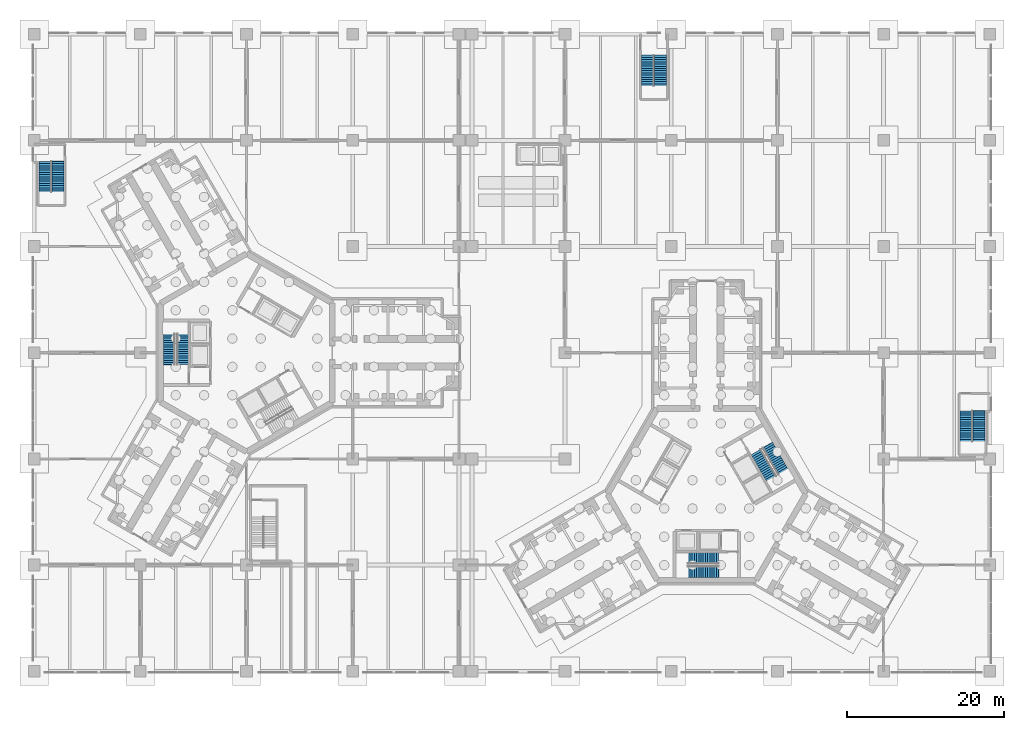
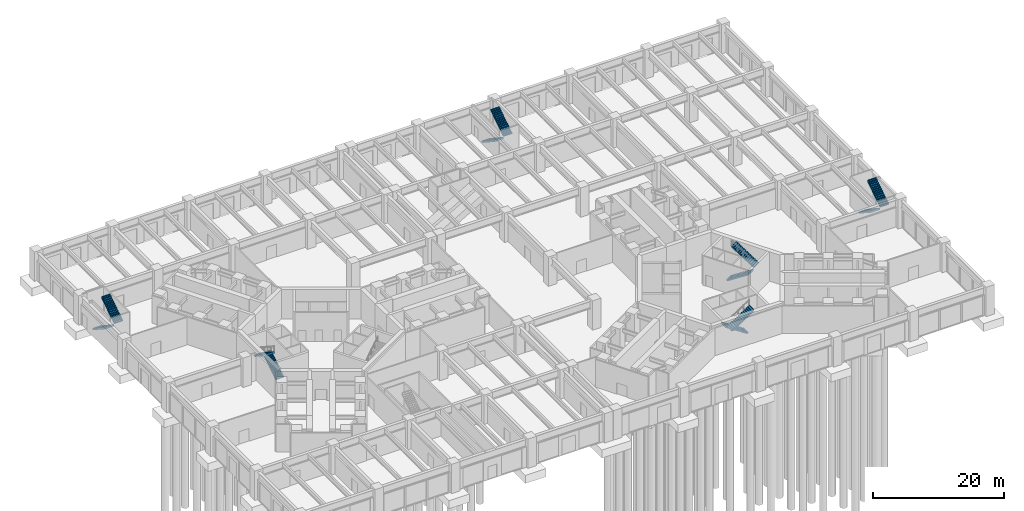
# One storey, part 16 of 18: 12 stair flights, 6 elements without a shape of their own.
"""IFC4 building model written with IfcOpenShell, lengths in metres."""

from ifc_helpers import new_model, si_unit, direction, frame, origin, place, context, subcontext, project, spatial, polyline, outline, extrude, material, type_object, element, aggregate, save


model = new_model("IFC4")

# Units and contexts
model_context = context("Model", 3, precision=1e-05, world=origin(), true_north=direction((0.0, 1.0)))
body_context = subcontext(model_context, "Body", "Model", "MODEL_VIEW")
ifc_project = project(units=[si_unit("LENGTHUNIT", "METRE"), si_unit("AREAUNIT", "SQUARE_METRE"), si_unit("VOLUMEUNIT", "CUBIC_METRE"), si_unit("PLANEANGLEUNIT", "RADIAN"), si_unit("MASSUNIT", "GRAM", prefix="KILO")], contexts=[model_context])

# Site, building, storey
site_placement = place(None, origin())
site = spatial("IfcSite", under=ifc_project, at=site_placement, CompositionType="ELEMENT")
building_placement = place(site_placement, origin())
building = spatial("IfcBuilding", under=site, at=building_placement, Name="Upepo Twin Towers", CompositionType="ELEMENT")
storey_placement = place(building_placement, origin())
storey = spatial("IfcBuildingStorey", under=building, at=storey_placement, Name="L00", CompositionType="ELEMENT", Elevation=0.0)

# Stair, stair flights
ifc_material_1 = material(Name="Concrete C40/50", Category="concrete")
stair_type_1 = type_object("IfcStairType", Name="Podium stair, two flights", PredefinedType="HALF_TURN_STAIR", material=ifc_material_1)
stair_1_placement = place(storey_placement, origin())
stair_1 = element("IfcStair", 1, at=stair_1_placement, inside=storey, type_object=stair_type_1, Name="Podium stair PS1 L00", PredefinedType="HALF_TURN_STAIR")
ifc_material_2 = material(Name="Concrete C40/50", Category="concrete")
stair_flight_type_1 = type_object("IfcStairFlightType", Name="Podium stair flight 1550 RC", PredefinedType="STRAIGHT", material=ifc_material_2)
stair_flight_1_placement = place(storey_placement, frame((-25.625, 24.320068359375, 0.0), z_axis=(0.0, 0.0, 1.0), x_axis=(0.0, -1.0, 0.0)))
stair_flight_1 = element("IfcStairFlight", 2, at=stair_flight_1_placement, type_object=stair_flight_type_1, Name="Stair PS1 flight 1", NumberOfRisers=15, NumberOfTreads=14, PredefinedType="STRAIGHT", RiserHeight=0.183333333, TreadLength=0.28, context=body_context, shape_type="SweptSolid", body=[
    extrude(outline(polyline([(0.0, 0.0), (0.0, 0.183349609375), (0.280029296875, 0.183349609375), (0.280029296875, 0.36669921875), (0.56005859375, 0.36669921875), (0.56005859375, 0.550048828125), (0.840087890625, 0.550048828125), (0.840087890625, 0.7333984375), (1.1201171875, 0.7333984375), (1.1201171875, 0.916748046875), (1.39990234375, 0.916748046875), (1.39990234375, 1.10009765625), (1.679931640625, 1.10009765625), (1.679931640625, 1.283447265625), (1.9599609375, 1.283447265625), (1.9599609375, 1.466552734375), (2.239990234375, 1.466552734375), (2.239990234375, 1.64990234375), (2.52001953125, 1.64990234375), (2.52001953125, 1.833251953125), (2.800048828125, 1.833251953125), (2.800048828125, 2.0166015625), (3.080078125, 2.0166015625), (3.080078125, 2.199951171875), (3.360107421875, 2.199951171875), (3.360107421875, 2.38330078125), (3.639892578125, 2.38330078125), (3.639892578125, 2.566650390625), (3.919921875, 2.566650390625), (3.919921875, 2.75), (3.969970703125, 2.75), (3.969970703125, 2.387451171875), (0.32373046875, 0.0), (0.0, 0.0)])), frame((0.0, 0.77490234375, 0.0), z_axis=(0.0, -1.0, 0.0), x_axis=(1.0, 0.0, 0.0)), (0.0, 0.0, 1.0), 1.550048828125),
])
stair_flight_2_placement = place(storey_placement, frame((-23.97509765625, 20.39990234375, 2.75), z_axis=(0.0, 0.0, 1.0), x_axis=(0.0, 1.0, 0.0)))
stair_flight_2 = element("IfcStairFlight", 3, at=stair_flight_2_placement, type_object=stair_flight_type_1, Name="Stair PS1 flight 2", NumberOfRisers=15, NumberOfTreads=14, PredefinedType="STRAIGHT", RiserHeight=0.183333333, TreadLength=0.28, context=body_context, shape_type="SweptSolid", body=[
    extrude(outline(polyline([(0.0, 0.0), (0.0, 0.183349609375), (0.280029296875, 0.183349609375), (0.280029296875, 0.36669921875), (0.56005859375, 0.36669921875), (0.56005859375, 0.550048828125), (0.840087890625, 0.550048828125), (0.840087890625, 0.7333984375), (1.1201171875, 0.7333984375), (1.1201171875, 0.916748046875), (1.39990234375, 0.916748046875), (1.39990234375, 1.10009765625), (1.679931640625, 1.10009765625), (1.679931640625, 1.283447265625), (1.9599609375, 1.283447265625), (1.9599609375, 1.466552734375), (2.239990234375, 1.466552734375), (2.239990234375, 1.64990234375), (2.52001953125, 1.64990234375), (2.52001953125, 1.833251953125), (2.800048828125, 1.833251953125), (2.800048828125, 2.0166015625), (3.080078125, 2.0166015625), (3.080078125, 2.199951171875), (3.360107421875, 2.199951171875), (3.360107421875, 2.38330078125), (3.639892578125, 2.38330078125), (3.639892578125, 2.566650390625), (3.919921875, 2.566650390625), (3.919921875, 2.75), (3.969970703125, 2.75), (3.969970703125, 2.387451171875), (0.32373046875, 0.0), (0.0, 0.0)])), frame((0.0, 0.77490234375, 0.0), z_axis=(0.0, -1.0, 0.0), x_axis=(1.0, 0.0, 0.0)), (0.0, 0.0, 1.0), 1.550048828125),
])
aggregate(stair_1, [stair_flight_1, stair_flight_2])

stair_2_placement = place(storey_placement, origin())
stair_2 = element("IfcStair", 4, at=stair_2_placement, inside=storey, type_object=stair_type_1, Name="Podium stair PS2 L00", PredefinedType="HALF_TURN_STAIR")
stair_flight_3_placement = place(storey_placement, frame((91.47509765625, -7.3798828125, 0.0), z_axis=(0.0, 0.0, 1.0), x_axis=(0.0, -1.0, 0.0)))
stair_flight_3 = element("IfcStairFlight", 5, at=stair_flight_3_placement, type_object=stair_flight_type_1, Name="Stair PS2 flight 1", NumberOfRisers=15, NumberOfTreads=14, PredefinedType="STRAIGHT", RiserHeight=0.183333333, TreadLength=0.28, context=body_context, shape_type="SweptSolid", body=[
    extrude(outline(polyline([(0.0, 0.0), (0.0, 0.183349609375), (0.280029296875, 0.183349609375), (0.280029296875, 0.36669921875), (0.56005859375, 0.36669921875), (0.56005859375, 0.550048828125), (0.840087890625, 0.550048828125), (0.840087890625, 0.7333984375), (1.1201171875, 0.7333984375), (1.1201171875, 0.916748046875), (1.39990234375, 0.916748046875), (1.39990234375, 1.10009765625), (1.679931640625, 1.10009765625), (1.679931640625, 1.283447265625), (1.9599609375, 1.283447265625), (1.9599609375, 1.466552734375), (2.239990234375, 1.466552734375), (2.239990234375, 1.64990234375), (2.52001953125, 1.64990234375), (2.52001953125, 1.833251953125), (2.800048828125, 1.833251953125), (2.800048828125, 2.0166015625), (3.080078125, 2.0166015625), (3.080078125, 2.199951171875), (3.360107421875, 2.199951171875), (3.360107421875, 2.38330078125), (3.639892578125, 2.38330078125), (3.639892578125, 2.566650390625), (3.919921875, 2.566650390625), (3.919921875, 2.75), (3.969970703125, 2.75), (3.969970703125, 2.387451171875), (0.32373046875, 0.0), (0.0, 0.0)])), frame((0.0, 0.77490234375, 0.0), z_axis=(0.0, -1.0, 0.0), x_axis=(1.0, 0.0, 0.0)), (0.0, 0.0, 1.0), 1.550048828125),
])
stair_flight_4_placement = place(storey_placement, frame((93.125, -11.300048828125, 2.75), z_axis=(0.0, 0.0, 1.0), x_axis=(0.0, 1.0, 0.0)))
stair_flight_4 = element("IfcStairFlight", 6, at=stair_flight_4_placement, type_object=stair_flight_type_1, Name="Stair PS2 flight 2", NumberOfRisers=15, NumberOfTreads=14, PredefinedType="STRAIGHT", RiserHeight=0.183333333, TreadLength=0.28, context=body_context, shape_type="SweptSolid", body=[
    extrude(outline(polyline([(0.0, 0.0), (0.0, 0.183349609375), (0.280029296875, 0.183349609375), (0.280029296875, 0.36669921875), (0.56005859375, 0.36669921875), (0.56005859375, 0.550048828125), (0.840087890625, 0.550048828125), (0.840087890625, 0.7333984375), (1.1201171875, 0.7333984375), (1.1201171875, 0.916748046875), (1.39990234375, 0.916748046875), (1.39990234375, 1.10009765625), (1.679931640625, 1.10009765625), (1.679931640625, 1.283447265625), (1.9599609375, 1.283447265625), (1.9599609375, 1.466552734375), (2.239990234375, 1.466552734375), (2.239990234375, 1.64990234375), (2.52001953125, 1.64990234375), (2.52001953125, 1.833251953125), (2.800048828125, 1.833251953125), (2.800048828125, 2.0166015625), (3.080078125, 2.0166015625), (3.080078125, 2.199951171875), (3.360107421875, 2.199951171875), (3.360107421875, 2.38330078125), (3.639892578125, 2.38330078125), (3.639892578125, 2.566650390625), (3.919921875, 2.566650390625), (3.919921875, 2.75), (3.969970703125, 2.75), (3.969970703125, 2.387451171875), (0.32373046875, 0.0), (0.0, 0.0)])), frame((0.0, 0.77490234375, 0.0), z_axis=(0.0, -1.0, 0.0), x_axis=(1.0, 0.0, 0.0)), (0.0, 0.0, 1.0), 1.550048828125),
])
aggregate(stair_2, [stair_flight_3, stair_flight_4])

stair_3_placement = place(storey_placement, origin())
stair_3 = element("IfcStair", 7, at=stair_3_placement, inside=storey, type_object=stair_type_1, Name="Podium stair PS4 L00", PredefinedType="HALF_TURN_STAIR")
stair_flight_5_placement = place(storey_placement, frame((50.97509765625, 37.820068359375, 0.0), z_axis=(0.0, 0.0, 1.0), x_axis=(0.0, -1.0, 0.0)))
stair_flight_5 = element("IfcStairFlight", 8, at=stair_flight_5_placement, type_object=stair_flight_type_1, Name="Stair PS4 flight 1", NumberOfRisers=15, NumberOfTreads=14, PredefinedType="STRAIGHT", RiserHeight=0.183333333, TreadLength=0.28, context=body_context, shape_type="SweptSolid", body=[
    extrude(outline(polyline([(0.0, 0.0), (0.0, 0.183349609375), (0.280029296875, 0.183349609375), (0.280029296875, 0.36669921875), (0.56005859375, 0.36669921875), (0.56005859375, 0.550048828125), (0.840087890625, 0.550048828125), (0.840087890625, 0.7333984375), (1.1201171875, 0.7333984375), (1.1201171875, 0.916748046875), (1.39990234375, 0.916748046875), (1.39990234375, 1.10009765625), (1.679931640625, 1.10009765625), (1.679931640625, 1.283447265625), (1.9599609375, 1.283447265625), (1.9599609375, 1.466552734375), (2.239990234375, 1.466552734375), (2.239990234375, 1.64990234375), (2.52001953125, 1.64990234375), (2.52001953125, 1.833251953125), (2.800048828125, 1.833251953125), (2.800048828125, 2.0166015625), (3.080078125, 2.0166015625), (3.080078125, 2.199951171875), (3.360107421875, 2.199951171875), (3.360107421875, 2.38330078125), (3.639892578125, 2.38330078125), (3.639892578125, 2.566650390625), (3.919921875, 2.566650390625), (3.919921875, 2.75), (3.969970703125, 2.75), (3.969970703125, 2.387451171875), (0.32373046875, 0.0), (0.0, 0.0)])), frame((0.0, 0.77490234375, 0.0), z_axis=(0.0, -1.0, 0.0), x_axis=(1.0, 0.0, 0.0)), (0.0, 0.0, 1.0), 1.550048828125),
])
stair_flight_6_placement = place(storey_placement, frame((52.625, 33.89990234375, 2.75), z_axis=(0.0, 0.0, 1.0), x_axis=(0.0, 1.0, 0.0)))
stair_flight_6 = element("IfcStairFlight", 9, at=stair_flight_6_placement, type_object=stair_flight_type_1, Name="Stair PS4 flight 2", NumberOfRisers=15, NumberOfTreads=14, PredefinedType="STRAIGHT", RiserHeight=0.183333333, TreadLength=0.28, context=body_context, shape_type="SweptSolid", body=[
    extrude(outline(polyline([(0.0, 0.0), (0.0, 0.183349609375), (0.280029296875, 0.183349609375), (0.280029296875, 0.36669921875), (0.56005859375, 0.36669921875), (0.56005859375, 0.550048828125), (0.840087890625, 0.550048828125), (0.840087890625, 0.7333984375), (1.1201171875, 0.7333984375), (1.1201171875, 0.916748046875), (1.39990234375, 0.916748046875), (1.39990234375, 1.10009765625), (1.679931640625, 1.10009765625), (1.679931640625, 1.283447265625), (1.9599609375, 1.283447265625), (1.9599609375, 1.466552734375), (2.239990234375, 1.466552734375), (2.239990234375, 1.64990234375), (2.52001953125, 1.64990234375), (2.52001953125, 1.833251953125), (2.800048828125, 1.833251953125), (2.800048828125, 2.0166015625), (3.080078125, 2.0166015625), (3.080078125, 2.199951171875), (3.360107421875, 2.199951171875), (3.360107421875, 2.38330078125), (3.639892578125, 2.38330078125), (3.639892578125, 2.566650390625), (3.919921875, 2.566650390625), (3.919921875, 2.75), (3.969970703125, 2.75), (3.969970703125, 2.387451171875), (0.32373046875, 0.0), (0.0, 0.0)])), frame((0.0, 0.77490234375, 0.0), z_axis=(0.0, -1.0, 0.0), x_axis=(1.0, 0.0, 0.0)), (0.0, 0.0, 1.0), 1.550048828125),
])
aggregate(stair_3, [stair_flight_5, stair_flight_6])

ifc_material_3 = material(Name="Concrete C40/50", Category="concrete")
stair_type_2 = type_object("IfcStairType", Name="Core stair, two flights", PredefinedType="HALF_TURN_STAIR", material=ifc_material_3)
stair_4_placement = place(storey_placement, origin())
stair_4 = element("IfcStair", 10, at=stair_4_placement, inside=storey, type_object=stair_type_2, Name="T1 stair S1 L00", PredefinedType="HALF_TURN_STAIR")
ifc_material_4 = material(Name="Concrete C40/50", Category="concrete")
stair_flight_type_2 = type_object("IfcStairFlightType", Name="Stair flight 1450 RC", PredefinedType="STRAIGHT", material=ifc_material_4)
stair_flight_7_placement = place(storey_placement, frame((-8.125, -1.52001953125, 0.0), z_axis=(0.0, 0.0, 1.0), x_axis=(0.0, 1.0, 0.0)))
stair_flight_7 = element("IfcStairFlight", 11, at=stair_flight_7_placement, type_object=stair_flight_type_2, Name="Stair S1 flight 1", NumberOfRisers=15, NumberOfTreads=14, PredefinedType="STRAIGHT", RiserHeight=0.183333333, TreadLength=0.28, context=body_context, shape_type="SweptSolid", body=[
    extrude(outline(polyline([(0.0, 0.0), (0.0, 0.183349609375), (0.280029296875, 0.183349609375), (0.280029296875, 0.36669921875), (0.56005859375, 0.36669921875), (0.56005859375, 0.550048828125), (0.840087890625, 0.550048828125), (0.840087890625, 0.7333984375), (1.1201171875, 0.7333984375), (1.1201171875, 0.916748046875), (1.39990234375, 0.916748046875), (1.39990234375, 1.10009765625), (1.679931640625, 1.10009765625), (1.679931640625, 1.283447265625), (1.9599609375, 1.283447265625), (1.9599609375, 1.466552734375), (2.239990234375, 1.466552734375), (2.239990234375, 1.64990234375), (2.52001953125, 1.64990234375), (2.52001953125, 1.833251953125), (2.800048828125, 1.833251953125), (2.800048828125, 2.0166015625), (3.080078125, 2.0166015625), (3.080078125, 2.199951171875), (3.360107421875, 2.199951171875), (3.360107421875, 2.38330078125), (3.639892578125, 2.38330078125), (3.639892578125, 2.566650390625), (3.919921875, 2.566650390625), (3.919921875, 2.75), (3.969970703125, 2.75), (3.969970703125, 2.387451171875), (0.32373046875, 0.0), (0.0, 0.0)])), frame((0.0, 0.72509765625, 0.0), z_axis=(0.0, -1.0, 0.0), x_axis=(1.0, 0.0, 0.0)), (0.0, 0.0, 1.0), 1.449951171875),
])
stair_flight_8_placement = place(storey_placement, frame((-9.833251953125, 2.39990234375, 2.75), z_axis=(0.0, 0.0, 1.0), x_axis=(0.0, -1.0, 0.0)))
stair_flight_8 = element("IfcStairFlight", 12, at=stair_flight_8_placement, type_object=stair_flight_type_2, Name="Stair S1 flight 2", NumberOfRisers=15, NumberOfTreads=14, PredefinedType="STRAIGHT", RiserHeight=0.183333333, TreadLength=0.28, context=body_context, shape_type="SweptSolid", body=[
    extrude(outline(polyline([(0.0, 0.0), (0.0, 0.183349609375), (0.280029296875, 0.183349609375), (0.280029296875, 0.36669921875), (0.56005859375, 0.36669921875), (0.56005859375, 0.550048828125), (0.840087890625, 0.550048828125), (0.840087890625, 0.7333984375), (1.1201171875, 0.7333984375), (1.1201171875, 0.916748046875), (1.39990234375, 0.916748046875), (1.39990234375, 1.10009765625), (1.679931640625, 1.10009765625), (1.679931640625, 1.283447265625), (1.9599609375, 1.283447265625), (1.9599609375, 1.466552734375), (2.239990234375, 1.466552734375), (2.239990234375, 1.64990234375), (2.52001953125, 1.64990234375), (2.52001953125, 1.833251953125), (2.800048828125, 1.833251953125), (2.800048828125, 2.0166015625), (3.080078125, 2.0166015625), (3.080078125, 2.199951171875), (3.360107421875, 2.199951171875), (3.360107421875, 2.38330078125), (3.639892578125, 2.38330078125), (3.639892578125, 2.566650390625), (3.919921875, 2.566650390625), (3.919921875, 2.75), (3.969970703125, 2.75), (3.969970703125, 2.387451171875), (0.32373046875, 0.0), (0.0, 0.0)])), frame((0.0, 0.72509765625, 0.0), z_axis=(0.0, -1.0, 0.0), x_axis=(1.0, 0.0, 0.0)), (0.0, 0.0, 1.0), 1.449951171875),
])
aggregate(stair_4, [stair_flight_7, stair_flight_8])

stair_5_placement = place(storey_placement, origin())
stair_5 = element("IfcStair", 13, at=stair_5_placement, inside=storey, type_object=stair_type_2, Name="T2 stair S1 L00", PredefinedType="HALF_TURN_STAIR")
stair_flight_9_placement = place(storey_placement, frame((60.02001953125, -26.125, 0.0), z_axis=(0.0, 0.0, 1.0), x_axis=(-1.0, 0.0, 0.0)))
stair_flight_9 = element("IfcStairFlight", 14, at=stair_flight_9_placement, type_object=stair_flight_type_2, Name="Stair S1 flight 1", NumberOfRisers=15, NumberOfTreads=14, PredefinedType="STRAIGHT", RiserHeight=0.183333333, TreadLength=0.28, context=body_context, shape_type="SweptSolid", body=[
    extrude(outline(polyline([(0.0, 0.0), (0.0, 0.183349609375), (0.280029296875, 0.183349609375), (0.280029296875, 0.36669921875), (0.56005859375, 0.36669921875), (0.56005859375, 0.550048828125), (0.840087890625, 0.550048828125), (0.840087890625, 0.7333984375), (1.1201171875, 0.7333984375), (1.1201171875, 0.916748046875), (1.39990234375, 0.916748046875), (1.39990234375, 1.10009765625), (1.679931640625, 1.10009765625), (1.679931640625, 1.283447265625), (1.9599609375, 1.283447265625), (1.9599609375, 1.466552734375), (2.239990234375, 1.466552734375), (2.239990234375, 1.64990234375), (2.52001953125, 1.64990234375), (2.52001953125, 1.833251953125), (2.800048828125, 1.833251953125), (2.800048828125, 2.0166015625), (3.080078125, 2.0166015625), (3.080078125, 2.199951171875), (3.360107421875, 2.199951171875), (3.360107421875, 2.38330078125), (3.639892578125, 2.38330078125), (3.639892578125, 2.566650390625), (3.919921875, 2.566650390625), (3.919921875, 2.75), (3.969970703125, 2.75), (3.969970703125, 2.387451171875), (0.32373046875, 0.0), (0.0, 0.0)])), frame((0.0, 0.72509765625, 0.0), z_axis=(0.0, -1.0, 0.0), x_axis=(1.0, 0.0, 0.0)), (0.0, 0.0, 1.0), 1.449951171875),
])
stair_flight_10_placement = place(storey_placement, frame((56.10009765625, -27.833251953125, 2.75), z_axis=(0.0, 0.0, 1.0), x_axis=(1.0, 0.0, 0.0)))
stair_flight_10 = element("IfcStairFlight", 15, at=stair_flight_10_placement, type_object=stair_flight_type_2, Name="Stair S1 flight 2", NumberOfRisers=15, NumberOfTreads=14, PredefinedType="STRAIGHT", RiserHeight=0.183333333, TreadLength=0.28, context=body_context, shape_type="SweptSolid", body=[
    extrude(outline(polyline([(0.0, 0.0), (0.0, 0.183349609375), (0.280029296875, 0.183349609375), (0.280029296875, 0.36669921875), (0.56005859375, 0.36669921875), (0.56005859375, 0.550048828125), (0.840087890625, 0.550048828125), (0.840087890625, 0.7333984375), (1.1201171875, 0.7333984375), (1.1201171875, 0.916748046875), (1.39990234375, 0.916748046875), (1.39990234375, 1.10009765625), (1.679931640625, 1.10009765625), (1.679931640625, 1.283447265625), (1.9599609375, 1.283447265625), (1.9599609375, 1.466552734375), (2.239990234375, 1.466552734375), (2.239990234375, 1.64990234375), (2.52001953125, 1.64990234375), (2.52001953125, 1.833251953125), (2.800048828125, 1.833251953125), (2.800048828125, 2.0166015625), (3.080078125, 2.0166015625), (3.080078125, 2.199951171875), (3.360107421875, 2.199951171875), (3.360107421875, 2.38330078125), (3.639892578125, 2.38330078125), (3.639892578125, 2.566650390625), (3.919921875, 2.566650390625), (3.919921875, 2.75), (3.969970703125, 2.75), (3.969970703125, 2.387451171875), (0.32373046875, 0.0), (0.0, 0.0)])), frame((0.0, 0.72509765625, 0.0), z_axis=(0.0, -1.0, 0.0), x_axis=(1.0, 0.0, 0.0)), (0.0, 0.0, 1.0), 1.449951171875),
])
aggregate(stair_5, [stair_flight_9, stair_flight_10])

stair_6_placement = place(storey_placement, origin())
stair_6 = element("IfcStair", 16, at=stair_6_placement, inside=storey, type_object=stair_type_2, Name="T2 stair S2 L00", PredefinedType="HALF_TURN_STAIR")
stair_flight_11_placement = place(storey_placement, frame((64.7763671875, -12.62109375, 0.0), z_axis=(0.0, 0.0, 1.0), x_axis=(0.5, -0.866025403784, 0.0)))
stair_flight_11 = element("IfcStairFlight", 17, at=stair_flight_11_placement, type_object=stair_flight_type_2, Name="Stair S2 flight 1", NumberOfRisers=15, NumberOfTreads=14, PredefinedType="STRAIGHT", RiserHeight=0.183333333, TreadLength=0.28, context=body_context, shape_type="SweptSolid", body=[
    extrude(outline(polyline([(0.0, 0.0), (0.0, 0.183349609375), (0.280029296875, 0.183349609375), (0.280029296875, 0.36669921875), (0.56005859375, 0.36669921875), (0.56005859375, 0.550048828125), (0.840087890625, 0.550048828125), (0.840087890625, 0.7333984375), (1.1201171875, 0.7333984375), (1.1201171875, 0.916748046875), (1.39990234375, 0.916748046875), (1.39990234375, 1.10009765625), (1.679931640625, 1.10009765625), (1.679931640625, 1.283447265625), (1.9599609375, 1.283447265625), (1.9599609375, 1.466552734375), (2.239990234375, 1.466552734375), (2.239990234375, 1.64990234375), (2.52001953125, 1.64990234375), (2.52001953125, 1.833251953125), (2.800048828125, 1.833251953125), (2.800048828125, 2.0166015625), (3.080078125, 2.0166015625), (3.080078125, 2.199951171875), (3.360107421875, 2.199951171875), (3.360107421875, 2.38330078125), (3.639892578125, 2.38330078125), (3.639892578125, 2.566650390625), (3.919921875, 2.566650390625), (3.919921875, 2.75), (3.969970703125, 2.75), (3.969970703125, 2.387451171875), (0.32373046875, 0.0), (0.0, 0.0)])), frame((0.0, 0.72509765625, 0.0), z_axis=(0.0, -1.0, 0.0), x_axis=(1.0, 0.0, 0.0)), (0.0, 0.0, 1.0), 1.449951171875),
])
stair_flight_12_placement = place(storey_placement, frame((68.2158203125, -15.161865234375, 2.75), z_axis=(0.0, 0.0, 1.0), x_axis=(-0.5, 0.866025403784, 0.0)))
stair_flight_12 = element("IfcStairFlight", 18, at=stair_flight_12_placement, type_object=stair_flight_type_2, Name="Stair S2 flight 2", NumberOfRisers=15, NumberOfTreads=14, PredefinedType="STRAIGHT", RiserHeight=0.183333333, TreadLength=0.28, context=body_context, shape_type="SweptSolid", body=[
    extrude(outline(polyline([(0.0, 0.0), (0.0, 0.183349609375), (0.280029296875, 0.183349609375), (0.280029296875, 0.36669921875), (0.56005859375, 0.36669921875), (0.56005859375, 0.550048828125), (0.840087890625, 0.550048828125), (0.840087890625, 0.7333984375), (1.1201171875, 0.7333984375), (1.1201171875, 0.916748046875), (1.39990234375, 0.916748046875), (1.39990234375, 1.10009765625), (1.679931640625, 1.10009765625), (1.679931640625, 1.283447265625), (1.9599609375, 1.283447265625), (1.9599609375, 1.466552734375), (2.239990234375, 1.466552734375), (2.239990234375, 1.64990234375), (2.52001953125, 1.64990234375), (2.52001953125, 1.833251953125), (2.800048828125, 1.833251953125), (2.800048828125, 2.0166015625), (3.080078125, 2.0166015625), (3.080078125, 2.199951171875), (3.360107421875, 2.199951171875), (3.360107421875, 2.38330078125), (3.639892578125, 2.38330078125), (3.639892578125, 2.566650390625), (3.919921875, 2.566650390625), (3.919921875, 2.75), (3.969970703125, 2.75), (3.969970703125, 2.387451171875), (0.32373046875, 0.0), (0.0, 0.0)])), frame((0.0, 0.72509765625, 0.0), z_axis=(0.0, -1.0, 0.0), x_axis=(1.0, 0.0, 0.0)), (0.0, 0.0, 1.0), 1.449951171875),
])
aggregate(stair_6, [stair_flight_11, stair_flight_12])

save(model, "model.ifc")
